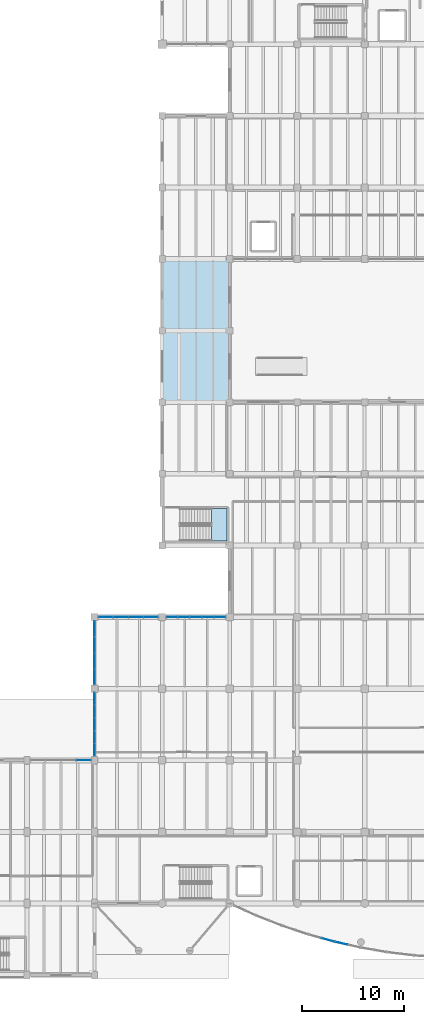
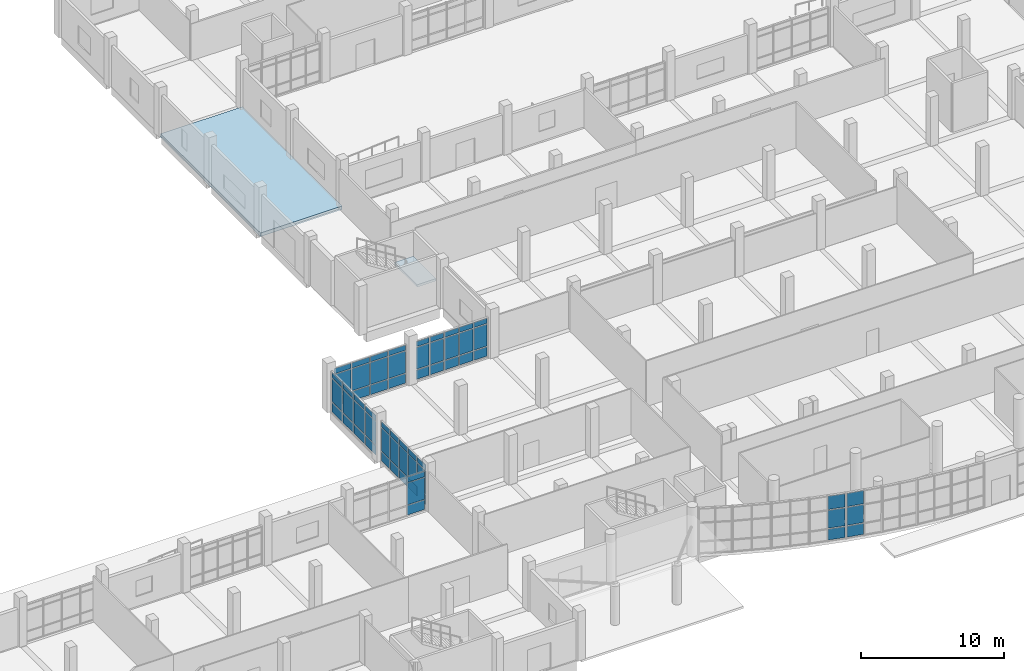
# One storey, part 34 of 69: 63 plates, 2 slabs, 8 elements without a shape of their own.
"""IFC4 building model written with IfcOpenShell, lengths in metres."""

from ifc_helpers import new_model, si_unit, direction, frame, origin, origin_2d, place, context, subcontext, project, spatial, polyline, rectangle, outline, extrude, material, layer, layer_set, type_object, element, aggregate, save


model = new_model("IFC4")

# Units and contexts
model_context = context("Model", 3, precision=1e-05, world=origin(), true_north=direction((0.0, 1.0)))
body_context = subcontext(model_context, "Body", "Model", "MODEL_VIEW")
ifc_project = project(units=[si_unit("LENGTHUNIT", "METRE"), si_unit("AREAUNIT", "SQUARE_METRE"), si_unit("VOLUMEUNIT", "CUBIC_METRE"), si_unit("PLANEANGLEUNIT", "RADIAN"), si_unit("MASSUNIT", "GRAM", prefix="KILO")], contexts=[model_context])

# Site, building, storey
site_placement = place(None, origin())
site = spatial("IfcSite", under=ifc_project, at=site_placement, CompositionType="ELEMENT")
building_placement = place(site_placement, origin())
building = spatial("IfcBuilding", under=site, at=building_placement, Name="Ciguamira Faculty of Natural Sciences", CompositionType="ELEMENT")
storey_placement = place(building_placement, origin())
storey = spatial("IfcBuildingStorey", under=building, at=storey_placement, Name="L00", CompositionType="ELEMENT", Elevation=0.0)

# Curtain wall, plates
ifc_material_1 = material(Name="Anodized aluminium curtain wall", Category="aluminium")
curtain_wall_type_1 = type_object("IfcCurtainWallType", Name="CurtainWall_CW-05", PredefinedType="USERDEFINED", material=ifc_material_1)
curtain_wall_1_placement = place(storey_placement, origin())
curtain_wall_1 = element("IfcCurtainWall", 1, at=curtain_wall_1_placement, inside=storey, type_object=curtain_wall_type_1, Name="L00 unitised curtain wall 0005", ObjectType="UNITISED CURTAIN WALL", PredefinedType="USERDEFINED")
ifc_material_2 = material(Name="Low-E laminated solar glass", Category="glass")
ifc_layer_1 = layer(ifc_material_2, 0.028076171875, Name="Low-E laminated solar glass")
ifc_layer_set_1 = layer_set([ifc_layer_1], Name="Low-E laminated solar glass")
plate_type_1 = type_object("IfcPlateType", Name="CWPanel_CWP-01", PredefinedType="CURTAIN_PANEL", material=ifc_layer_set_1)
plate_1_placement = place(storey_placement, frame((51.804931640625, 38.0, 0.070068359375), z_axis=(0.0, 0.0, 1.0), x_axis=(1.0, 0.0, 0.0)))
plate_1 = element("IfcPlate", 2, at=plate_1_placement, type_object=plate_type_1, Name="CW-05 panel 1.1", PredefinedType="CURTAIN_PANEL", context=body_context, shape_type="SweptSolid", body=[
    extrude(rectangle(XDim=1.3701171875, YDim=0.028076171875, at=origin_2d()), origin(), (0.0, 0.0, 1.0), 0.794921875),
])
plate_2_placement = place(storey_placement, frame((51.804931640625, 38.0, 0.93505859375), z_axis=(0.0, 0.0, 1.0), x_axis=(1.0, 0.0, 0.0)))
plate_2 = element("IfcPlate", 3, at=plate_2_placement, type_object=plate_type_1, Name="CW-05 panel 1.2", PredefinedType="CURTAIN_PANEL", context=body_context, shape_type="SweptSolid", body=[
    extrude(rectangle(XDim=1.3701171875, YDim=0.028076171875, at=origin_2d()), origin(), (0.0, 0.0, 1.0), 1.864990234375),
])
plate_3_placement = place(storey_placement, frame((51.804931640625, 38.0, 2.8701171875), z_axis=(0.0, 0.0, 1.0), x_axis=(1.0, 0.0, 0.0)))
plate_3 = element("IfcPlate", 4, at=plate_3_placement, type_object=plate_type_1, Name="CW-05 panel 1.3", PredefinedType="CURTAIN_PANEL", context=body_context, shape_type="SweptSolid", body=[
    extrude(rectangle(XDim=1.3701171875, YDim=0.028076171875, at=origin_2d()), origin(), (0.0, 0.0, 1.0), 0.445068359375),
])
plate_4_placement = place(storey_placement, frame((53.262451171875, 38.0, 0.070068359375), z_axis=(0.0, 0.0, 1.0), x_axis=(1.0, 0.0, 0.0)))
plate_4 = element("IfcPlate", 5, at=plate_4_placement, type_object=plate_type_1, Name="CW-05 panel 2.1", PredefinedType="CURTAIN_PANEL", context=body_context, shape_type="SweptSolid", body=[
    extrude(rectangle(XDim=1.405029296875, YDim=0.028076171875, at=origin_2d()), origin(), (0.0, 0.0, 1.0), 0.794921875),
])
plate_5_placement = place(storey_placement, frame((53.262451171875, 38.0, 0.93505859375), z_axis=(0.0, 0.0, 1.0), x_axis=(1.0, 0.0, 0.0)))
plate_5 = element("IfcPlate", 6, at=plate_5_placement, type_object=plate_type_1, Name="CW-05 panel 2.2", PredefinedType="CURTAIN_PANEL", context=body_context, shape_type="SweptSolid", body=[
    extrude(rectangle(XDim=1.405029296875, YDim=0.028076171875, at=origin_2d()), origin(), (0.0, 0.0, 1.0), 1.864990234375),
])
plate_6_placement = place(storey_placement, frame((53.262451171875, 38.0, 2.8701171875), z_axis=(0.0, 0.0, 1.0), x_axis=(1.0, 0.0, 0.0)))
plate_6 = element("IfcPlate", 7, at=plate_6_placement, type_object=plate_type_1, Name="CW-05 panel 2.3", PredefinedType="CURTAIN_PANEL", context=body_context, shape_type="SweptSolid", body=[
    extrude(rectangle(XDim=1.405029296875, YDim=0.028076171875, at=origin_2d()), origin(), (0.0, 0.0, 1.0), 0.445068359375),
])
plate_7_placement = place(storey_placement, frame((54.737548828125, 38.0, 0.070068359375), z_axis=(0.0, 0.0, 1.0), x_axis=(1.0, 0.0, 0.0)))
plate_7 = element("IfcPlate", 8, at=plate_7_placement, type_object=plate_type_1, Name="CW-05 panel 3.1", PredefinedType="CURTAIN_PANEL", context=body_context, shape_type="SweptSolid", body=[
    extrude(rectangle(XDim=1.405029296875, YDim=0.028076171875, at=origin_2d()), origin(), (0.0, 0.0, 1.0), 0.794921875),
])
plate_8_placement = place(storey_placement, frame((54.737548828125, 38.0, 0.93505859375), z_axis=(0.0, 0.0, 1.0), x_axis=(1.0, 0.0, 0.0)))
plate_8 = element("IfcPlate", 9, at=plate_8_placement, type_object=plate_type_1, Name="CW-05 panel 3.2", PredefinedType="CURTAIN_PANEL", context=body_context, shape_type="SweptSolid", body=[
    extrude(rectangle(XDim=1.405029296875, YDim=0.028076171875, at=origin_2d()), origin(), (0.0, 0.0, 1.0), 1.864990234375),
])
plate_9_placement = place(storey_placement, frame((54.737548828125, 38.0, 2.8701171875), z_axis=(0.0, 0.0, 1.0), x_axis=(1.0, 0.0, 0.0)))
plate_9 = element("IfcPlate", 10, at=plate_9_placement, type_object=plate_type_1, Name="CW-05 panel 3.3", PredefinedType="CURTAIN_PANEL", context=body_context, shape_type="SweptSolid", body=[
    extrude(rectangle(XDim=1.405029296875, YDim=0.028076171875, at=origin_2d()), origin(), (0.0, 0.0, 1.0), 0.445068359375),
])
plate_10_placement = place(storey_placement, frame((56.195068359375, 38.0, 0.070068359375), z_axis=(0.0, 0.0, 1.0), x_axis=(1.0, 0.0, 0.0)))
plate_10 = element("IfcPlate", 11, at=plate_10_placement, type_object=plate_type_1, Name="CW-05 panel 4.1", PredefinedType="CURTAIN_PANEL", context=body_context, shape_type="SweptSolid", body=[
    extrude(rectangle(XDim=1.3701171875, YDim=0.028076171875, at=origin_2d()), origin(), (0.0, 0.0, 1.0), 0.794921875),
])
plate_11_placement = place(storey_placement, frame((56.195068359375, 38.0, 0.93505859375), z_axis=(0.0, 0.0, 1.0), x_axis=(1.0, 0.0, 0.0)))
plate_11 = element("IfcPlate", 12, at=plate_11_placement, type_object=plate_type_1, Name="CW-05 panel 4.2", PredefinedType="CURTAIN_PANEL", context=body_context, shape_type="SweptSolid", body=[
    extrude(rectangle(XDim=1.3701171875, YDim=0.028076171875, at=origin_2d()), origin(), (0.0, 0.0, 1.0), 1.864990234375),
])
plate_12_placement = place(storey_placement, frame((56.195068359375, 38.0, 2.8701171875), z_axis=(0.0, 0.0, 1.0), x_axis=(1.0, 0.0, 0.0)))
plate_12 = element("IfcPlate", 13, at=plate_12_placement, type_object=plate_type_1, Name="CW-05 panel 4.3", PredefinedType="CURTAIN_PANEL", context=body_context, shape_type="SweptSolid", body=[
    extrude(rectangle(XDim=1.3701171875, YDim=0.028076171875, at=origin_2d()), origin(), (0.0, 0.0, 1.0), 0.445068359375),
])
aggregate(curtain_wall_1, [plate_1, plate_2, plate_3, plate_4, plate_5, plate_6, plate_7, plate_8, plate_9, plate_10, plate_11, plate_12])

curtain_wall_type_2 = type_object("IfcCurtainWallType", Name="CurtainWall_CW-11", PredefinedType="USERDEFINED", material=ifc_material_1)
curtain_wall_2_placement = place(storey_placement, origin())
curtain_wall_2 = element("IfcCurtainWall", 14, at=curtain_wall_2_placement, inside=storey, type_object=curtain_wall_type_2, Name="L00 unitised curtain wall 0023", ObjectType="UNITISED CURTAIN WALL", PredefinedType="USERDEFINED")
plate_13_placement = place(storey_placement, frame((50.699951171875, 32.155029296875, 0.070068359375), z_axis=(0.0, 0.0, 1.0), x_axis=(0.0, 1.0, 0.0)))
plate_13 = element("IfcPlate", 15, at=plate_13_placement, type_object=plate_type_1, Name="CW-11 panel 1.1", PredefinedType="CURTAIN_PANEL", context=body_context, shape_type="SweptSolid", body=[
    extrude(rectangle(XDim=1.469970703125, YDim=0.028076171875, at=origin_2d()), origin(), (0.0, 0.0, 1.0), 0.794921875),
])
plate_14_placement = place(storey_placement, frame((50.699951171875, 32.155029296875, 0.93505859375), z_axis=(0.0, 0.0, 1.0), x_axis=(0.0, 1.0, 0.0)))
plate_14 = element("IfcPlate", 16, at=plate_14_placement, type_object=plate_type_1, Name="CW-11 panel 1.2", PredefinedType="CURTAIN_PANEL", context=body_context, shape_type="SweptSolid", body=[
    extrude(rectangle(XDim=1.469970703125, YDim=0.028076171875, at=origin_2d()), origin(), (0.0, 0.0, 1.0), 1.985107421875),
])
plate_15_placement = place(storey_placement, frame((50.699951171875, 32.155029296875, 2.98974609375), z_axis=(0.0, 0.0, 1.0), x_axis=(0.0, 1.0, 0.0)))
plate_15 = element("IfcPlate", 17, at=plate_15_placement, type_object=plate_type_1, Name="CW-11 panel 1.3", PredefinedType="CURTAIN_PANEL", context=body_context, shape_type="SweptSolid", body=[
    extrude(rectangle(XDim=1.469970703125, YDim=0.028076171875, at=origin_2d()), origin(), (0.0, 0.0, 1.0), 0.445068359375),
])
plate_16_placement = place(storey_placement, frame((50.699951171875, 33.71240234375, 0.070068359375), z_axis=(0.0, 0.0, 1.0), x_axis=(0.0, 1.0, 0.0)))
plate_16 = element("IfcPlate", 18, at=plate_16_placement, type_object=plate_type_1, Name="CW-11 panel 2.1", PredefinedType="CURTAIN_PANEL", context=body_context, shape_type="SweptSolid", body=[
    extrude(rectangle(XDim=1.5048828125, YDim=0.028076171875, at=origin_2d()), origin(), (0.0, 0.0, 1.0), 0.794921875),
])
plate_17_placement = place(storey_placement, frame((50.699951171875, 33.71240234375, 0.93505859375), z_axis=(0.0, 0.0, 1.0), x_axis=(0.0, 1.0, 0.0)))
plate_17 = element("IfcPlate", 19, at=plate_17_placement, type_object=plate_type_1, Name="CW-11 panel 2.2", PredefinedType="CURTAIN_PANEL", context=body_context, shape_type="SweptSolid", body=[
    extrude(rectangle(XDim=1.5048828125, YDim=0.028076171875, at=origin_2d()), origin(), (0.0, 0.0, 1.0), 1.985107421875),
])
plate_18_placement = place(storey_placement, frame((50.699951171875, 33.71240234375, 2.98974609375), z_axis=(0.0, 0.0, 1.0), x_axis=(0.0, 1.0, 0.0)))
plate_18 = element("IfcPlate", 20, at=plate_18_placement, type_object=plate_type_1, Name="CW-11 panel 2.3", PredefinedType="CURTAIN_PANEL", context=body_context, shape_type="SweptSolid", body=[
    extrude(rectangle(XDim=1.5048828125, YDim=0.028076171875, at=origin_2d()), origin(), (0.0, 0.0, 1.0), 0.445068359375),
])
plate_19_placement = place(storey_placement, frame((50.699951171875, 35.28759765625, 0.070068359375), z_axis=(0.0, 0.0, 1.0), x_axis=(0.0, 1.0, 0.0)))
plate_19 = element("IfcPlate", 21, at=plate_19_placement, type_object=plate_type_1, Name="CW-11 panel 3.1", PredefinedType="CURTAIN_PANEL", context=body_context, shape_type="SweptSolid", body=[
    extrude(rectangle(XDim=1.5048828125, YDim=0.028076171875, at=origin_2d()), origin(), (0.0, 0.0, 1.0), 0.794921875),
])
plate_20_placement = place(storey_placement, frame((50.699951171875, 35.28759765625, 0.93505859375), z_axis=(0.0, 0.0, 1.0), x_axis=(0.0, 1.0, 0.0)))
plate_20 = element("IfcPlate", 22, at=plate_20_placement, type_object=plate_type_1, Name="CW-11 panel 3.2", PredefinedType="CURTAIN_PANEL", context=body_context, shape_type="SweptSolid", body=[
    extrude(rectangle(XDim=1.5048828125, YDim=0.028076171875, at=origin_2d()), origin(), (0.0, 0.0, 1.0), 1.985107421875),
])
plate_21_placement = place(storey_placement, frame((50.699951171875, 35.28759765625, 2.98974609375), z_axis=(0.0, 0.0, 1.0), x_axis=(0.0, 1.0, 0.0)))
plate_21 = element("IfcPlate", 23, at=plate_21_placement, type_object=plate_type_1, Name="CW-11 panel 3.3", PredefinedType="CURTAIN_PANEL", context=body_context, shape_type="SweptSolid", body=[
    extrude(rectangle(XDim=1.5048828125, YDim=0.028076171875, at=origin_2d()), origin(), (0.0, 0.0, 1.0), 0.445068359375),
])
plate_22_placement = place(storey_placement, frame((50.699951171875, 36.844970703125, 0.070068359375), z_axis=(0.0, 0.0, 1.0), x_axis=(0.0, 1.0, 0.0)))
plate_22 = element("IfcPlate", 24, at=plate_22_placement, type_object=plate_type_1, Name="CW-11 panel 4.1", PredefinedType="CURTAIN_PANEL", context=body_context, shape_type="SweptSolid", body=[
    extrude(rectangle(XDim=1.469970703125, YDim=0.028076171875, at=origin_2d()), origin(), (0.0, 0.0, 1.0), 0.794921875),
])
plate_23_placement = place(storey_placement, frame((50.699951171875, 36.844970703125, 0.93505859375), z_axis=(0.0, 0.0, 1.0), x_axis=(0.0, 1.0, 0.0)))
plate_23 = element("IfcPlate", 25, at=plate_23_placement, type_object=plate_type_1, Name="CW-11 panel 4.2", PredefinedType="CURTAIN_PANEL", context=body_context, shape_type="SweptSolid", body=[
    extrude(rectangle(XDim=1.469970703125, YDim=0.028076171875, at=origin_2d()), origin(), (0.0, 0.0, 1.0), 1.985107421875),
])
plate_24_placement = place(storey_placement, frame((50.699951171875, 36.844970703125, 2.98974609375), z_axis=(0.0, 0.0, 1.0), x_axis=(0.0, 1.0, 0.0)))
plate_24 = element("IfcPlate", 26, at=plate_24_placement, type_object=plate_type_1, Name="CW-11 panel 4.3", PredefinedType="CURTAIN_PANEL", context=body_context, shape_type="SweptSolid", body=[
    extrude(rectangle(XDim=1.469970703125, YDim=0.028076171875, at=origin_2d()), origin(), (0.0, 0.0, 1.0), 0.445068359375),
])
aggregate(curtain_wall_2, [plate_13, plate_14, plate_15, plate_16, plate_17, plate_18, plate_19, plate_20, plate_21, plate_22, plate_23, plate_24])

curtain_wall_type_3 = type_object("IfcCurtainWallType", Name="CurtainWall_CW-10", PredefinedType="USERDEFINED", material=ifc_material_1)
curtain_wall_3_placement = place(storey_placement, origin())
curtain_wall_3 = element("IfcCurtainWall", 27, at=curtain_wall_3_placement, inside=storey, type_object=curtain_wall_type_3, Name="L00 south gallery curved curtain wall 04", ObjectType="UNITISED CURTAIN WALL", PredefinedType="USERDEFINED")
plate_25_placement = place(storey_placement, frame((73.505859375, 6.445556640625, 0.080078125), z_axis=(0.0, 0.0, 1.0), x_axis=(0.963573286652, -0.267444426472, 0.0)))
plate_25 = element("IfcPlate", 28, at=plate_25_placement, type_object=plate_type_1, Name="CW-10 panel 2.1", PredefinedType="CURTAIN_PANEL", context=body_context, shape_type="SweptSolid", body=[
    extrude(rectangle(XDim=1.2119140625, YDim=0.028076171875, at=origin_2d()), origin(), (0.0, 0.0, 1.0), 0.929931640625),
])
plate_26_placement = place(storey_placement, frame((73.505859375, 6.445556640625, 1.090087890625), z_axis=(0.0, 0.0, 1.0), x_axis=(0.963573286652, -0.267444426472, 0.0)))
plate_26 = element("IfcPlate", 29, at=plate_26_placement, type_object=plate_type_1, Name="CW-10 panel 2.2", PredefinedType="CURTAIN_PANEL", context=body_context, shape_type="SweptSolid", body=[
    extrude(rectangle(XDim=1.2119140625, YDim=0.028076171875, at=origin_2d()), origin(), (0.0, 0.0, 1.0), 1.52001953125),
])
plate_27_placement = place(storey_placement, frame((73.505859375, 6.445556640625, 2.68994140625), z_axis=(0.0, 0.0, 1.0), x_axis=(0.963573286652, -0.267444426472, 0.0)))
plate_27 = element("IfcPlate", 30, at=plate_27_placement, type_object=plate_type_1, Name="CW-10 panel 2.3", PredefinedType="CURTAIN_PANEL", context=body_context, shape_type="SweptSolid", body=[
    extrude(rectangle(XDim=1.2119140625, YDim=0.028076171875, at=origin_2d()), origin(), (0.0, 0.0, 1.0), 1.1298828125),
])
aggregate(curtain_wall_3, [plate_25, plate_26, plate_27])

curtain_wall_4_placement = place(storey_placement, origin())
curtain_wall_4 = element("IfcCurtainWall", 31, at=curtain_wall_4_placement, inside=storey, type_object=curtain_wall_type_2, Name="L00 south gallery curved curtain wall 05", ObjectType="UNITISED CURTAIN WALL", PredefinedType="USERDEFINED")
plate_28_placement = place(storey_placement, frame((74.827880859375, 6.11376953125, 0.080078125), z_axis=(0.0, 0.0, 1.0), x_axis=(0.975762990759, -0.218830038763, 0.0)))
plate_28 = element("IfcPlate", 32, at=plate_28_placement, type_object=plate_type_1, Name="CW-11 panel 1.1", PredefinedType="CURTAIN_PANEL", context=body_context, shape_type="SweptSolid", body=[
    extrude(rectangle(XDim=1.195068359375, YDim=0.028076171875, at=origin_2d()), origin(), (0.0, 0.0, 1.0), 0.929931640625),
])
plate_29_placement = place(storey_placement, frame((74.827880859375, 6.11376953125, 1.090087890625), z_axis=(0.0, 0.0, 1.0), x_axis=(0.975762990759, -0.218830038763, 0.0)))
plate_29 = element("IfcPlate", 33, at=plate_29_placement, type_object=plate_type_1, Name="CW-11 panel 1.2", PredefinedType="CURTAIN_PANEL", context=body_context, shape_type="SweptSolid", body=[
    extrude(rectangle(XDim=1.195068359375, YDim=0.028076171875, at=origin_2d()), origin(), (0.0, 0.0, 1.0), 1.52001953125),
])
plate_30_placement = place(storey_placement, frame((74.827880859375, 6.11376953125, 2.68994140625), z_axis=(0.0, 0.0, 1.0), x_axis=(0.975762990759, -0.218830038763, 0.0)))
plate_30 = element("IfcPlate", 34, at=plate_30_placement, type_object=plate_type_1, Name="CW-11 panel 1.3", PredefinedType="CURTAIN_PANEL", context=body_context, shape_type="SweptSolid", body=[
    extrude(rectangle(XDim=1.195068359375, YDim=0.028076171875, at=origin_2d()), origin(), (0.0, 0.0, 1.0), 1.1298828125),
])
aggregate(curtain_wall_4, [plate_28, plate_29, plate_30])

curtain_wall_type_4 = type_object("IfcCurtainWallType", Name="CurtainWall_CW-04", PredefinedType="USERDEFINED", material=ifc_material_1)
curtain_wall_5_placement = place(storey_placement, origin())
curtain_wall_5 = element("IfcCurtainWall", 35, at=curtain_wall_5_placement, inside=storey, type_object=curtain_wall_type_4, Name="L00 unitised curtain wall 0004", ObjectType="UNITISED CURTAIN WALL", PredefinedType="USERDEFINED")
ifc_layer_2 = layer(ifc_material_2, 0.035888671875, Name="Low-E laminated solar glass")
ifc_layer_set_2 = layer_set([ifc_layer_2], Name="Low-E laminated solar glass")
plate_type_2 = type_object("IfcPlateType", Name="CWPanel_CWP-02", PredefinedType="CURTAIN_PANEL", material=ifc_layer_set_2)
plate_31_placement = place(storey_placement, frame((49.635009765625, 24.0, 0.06005859375), z_axis=(0.0, 0.0, 1.0), x_axis=(1.0, 0.0, 0.0)))
plate_31 = element("IfcPlate", 36, at=plate_31_placement, type_object=plate_type_2, Name="CW-04 panel 4.1", PredefinedType="CURTAIN_PANEL", context=body_context, shape_type="SweptSolid", body=[
    extrude(rectangle(XDim=1.409912109375, YDim=0.035888671875, at=origin_2d()), origin(), (0.0, 0.0, 1.0), 0.81005859375),
])
plate_32_placement = place(storey_placement, frame((49.635009765625, 24.0, 0.929931640625), z_axis=(0.0, 0.0, 1.0), x_axis=(1.0, 0.0, 0.0)))
plate_32 = element("IfcPlate", 37, at=plate_32_placement, type_object=plate_type_2, Name="CW-04 panel 4.2", PredefinedType="CURTAIN_PANEL", context=body_context, shape_type="SweptSolid", body=[
    extrude(rectangle(XDim=1.409912109375, YDim=0.035888671875, at=origin_2d()), origin(), (0.0, 0.0, 1.0), 1.85498046875),
])
plate_33_placement = place(storey_placement, frame((49.635009765625, 24.0, 2.844970703125), z_axis=(0.0, 0.0, 1.0), x_axis=(1.0, 0.0, 0.0)))
plate_33 = element("IfcPlate", 38, at=plate_33_placement, type_object=plate_type_2, Name="CW-04 panel 4.3", PredefinedType="CURTAIN_PANEL", context=body_context, shape_type="SweptSolid", body=[
    extrude(rectangle(XDim=1.409912109375, YDim=0.035888671875, at=origin_2d()), origin(), (0.0, 0.0, 1.0), 0.4599609375),
])
aggregate(curtain_wall_5, [plate_31, plate_32, plate_33])

curtain_wall_type_5 = type_object("IfcCurtainWallType", Name="CurtainWall_CW-06", PredefinedType="USERDEFINED", material=ifc_material_1)
curtain_wall_6_placement = place(storey_placement, origin())
curtain_wall_6 = element("IfcCurtainWall", 39, at=curtain_wall_6_placement, inside=storey, type_object=curtain_wall_type_5, Name="L00 unitised curtain wall 0006", ObjectType="UNITISED CURTAIN WALL", PredefinedType="USERDEFINED")
plate_34_placement = place(storey_placement, frame((58.260009765625, 38.0, 0.080078125), z_axis=(0.0, 0.0, 1.0), x_axis=(1.0, 0.0, 0.0)))
plate_34 = element("IfcPlate", 40, at=plate_34_placement, type_object=plate_type_2, Name="CW-06 panel 1.1", PredefinedType="CURTAIN_PANEL", context=body_context, shape_type="SweptSolid", body=[
    extrude(rectangle(XDim=1.06005859375, YDim=0.035888671875, at=origin_2d()), origin(), (0.0, 0.0, 1.0), 0.780029296875),
])
plate_35_placement = place(storey_placement, frame((58.260009765625, 38.0, 0.93994140625), z_axis=(0.0, 0.0, 1.0), x_axis=(1.0, 0.0, 0.0)))
plate_35 = element("IfcPlate", 41, at=plate_35_placement, type_object=plate_type_2, Name="CW-06 panel 1.2", PredefinedType="CURTAIN_PANEL", context=body_context, shape_type="SweptSolid", body=[
    extrude(rectangle(XDim=1.06005859375, YDim=0.035888671875, at=origin_2d()), origin(), (0.0, 0.0, 1.0), 1.85498046875),
])
plate_36_placement = place(storey_placement, frame((58.260009765625, 38.0, 2.875), z_axis=(0.0, 0.0, 1.0), x_axis=(1.0, 0.0, 0.0)))
plate_36 = element("IfcPlate", 42, at=plate_36_placement, type_object=plate_type_2, Name="CW-06 panel 1.3", PredefinedType="CURTAIN_PANEL", context=body_context, shape_type="SweptSolid", body=[
    extrude(rectangle(XDim=1.06005859375, YDim=0.035888671875, at=origin_2d()), origin(), (0.0, 0.0, 1.0), 0.429931640625),
])
plate_37_placement = place(storey_placement, frame((59.419921875, 38.0, 0.080078125), z_axis=(0.0, 0.0, 1.0), x_axis=(1.0, 0.0, 0.0)))
plate_37 = element("IfcPlate", 43, at=plate_37_placement, type_object=plate_type_2, Name="CW-06 panel 2.1", PredefinedType="CURTAIN_PANEL", context=body_context, shape_type="SweptSolid", body=[
    extrude(rectangle(XDim=1.10009765625, YDim=0.035888671875, at=origin_2d()), origin(), (0.0, 0.0, 1.0), 0.780029296875),
])
plate_38_placement = place(storey_placement, frame((59.419921875, 38.0, 0.93994140625), z_axis=(0.0, 0.0, 1.0), x_axis=(1.0, 0.0, 0.0)))
plate_38 = element("IfcPlate", 44, at=plate_38_placement, type_object=plate_type_2, Name="CW-06 panel 2.2", PredefinedType="CURTAIN_PANEL", context=body_context, shape_type="SweptSolid", body=[
    extrude(rectangle(XDim=1.10009765625, YDim=0.035888671875, at=origin_2d()), origin(), (0.0, 0.0, 1.0), 1.85498046875),
])
plate_39_placement = place(storey_placement, frame((59.419921875, 38.0, 2.875), z_axis=(0.0, 0.0, 1.0), x_axis=(1.0, 0.0, 0.0)))
plate_39 = element("IfcPlate", 45, at=plate_39_placement, type_object=plate_type_2, Name="CW-06 panel 2.3", PredefinedType="CURTAIN_PANEL", context=body_context, shape_type="SweptSolid", body=[
    extrude(rectangle(XDim=1.10009765625, YDim=0.035888671875, at=origin_2d()), origin(), (0.0, 0.0, 1.0), 0.429931640625),
])
plate_40_placement = place(storey_placement, frame((60.60009765625, 38.0, 0.080078125), z_axis=(0.0, 0.0, 1.0), x_axis=(1.0, 0.0, 0.0)))
plate_40 = element("IfcPlate", 46, at=plate_40_placement, type_object=plate_type_2, Name="CW-06 panel 3.1", PredefinedType="CURTAIN_PANEL", context=body_context, shape_type="SweptSolid", body=[
    extrude(rectangle(XDim=1.10009765625, YDim=0.035888671875, at=origin_2d()), origin(), (0.0, 0.0, 1.0), 0.780029296875),
])
plate_41_placement = place(storey_placement, frame((60.60009765625, 38.0, 0.93994140625), z_axis=(0.0, 0.0, 1.0), x_axis=(1.0, 0.0, 0.0)))
plate_41 = element("IfcPlate", 47, at=plate_41_placement, type_object=plate_type_2, Name="CW-06 panel 3.2", PredefinedType="CURTAIN_PANEL", context=body_context, shape_type="SweptSolid", body=[
    extrude(rectangle(XDim=1.10009765625, YDim=0.035888671875, at=origin_2d()), origin(), (0.0, 0.0, 1.0), 1.85498046875),
])
plate_42_placement = place(storey_placement, frame((60.60009765625, 38.0, 2.875), z_axis=(0.0, 0.0, 1.0), x_axis=(1.0, 0.0, 0.0)))
plate_42 = element("IfcPlate", 48, at=plate_42_placement, type_object=plate_type_2, Name="CW-06 panel 3.3", PredefinedType="CURTAIN_PANEL", context=body_context, shape_type="SweptSolid", body=[
    extrude(rectangle(XDim=1.10009765625, YDim=0.035888671875, at=origin_2d()), origin(), (0.0, 0.0, 1.0), 0.429931640625),
])
plate_43_placement = place(storey_placement, frame((61.780029296875, 38.0, 0.080078125), z_axis=(0.0, 0.0, 1.0), x_axis=(1.0, 0.0, 0.0)))
plate_43 = element("IfcPlate", 49, at=plate_43_placement, type_object=plate_type_2, Name="CW-06 panel 4.1", PredefinedType="CURTAIN_PANEL", context=body_context, shape_type="SweptSolid", body=[
    extrude(rectangle(XDim=1.10009765625, YDim=0.035888671875, at=origin_2d()), origin(), (0.0, 0.0, 1.0), 0.780029296875),
])
plate_44_placement = place(storey_placement, frame((61.780029296875, 38.0, 0.93994140625), z_axis=(0.0, 0.0, 1.0), x_axis=(1.0, 0.0, 0.0)))
plate_44 = element("IfcPlate", 50, at=plate_44_placement, type_object=plate_type_2, Name="CW-06 panel 4.2", PredefinedType="CURTAIN_PANEL", context=body_context, shape_type="SweptSolid", body=[
    extrude(rectangle(XDim=1.10009765625, YDim=0.035888671875, at=origin_2d()), origin(), (0.0, 0.0, 1.0), 1.85498046875),
])
plate_45_placement = place(storey_placement, frame((61.780029296875, 38.0, 2.875), z_axis=(0.0, 0.0, 1.0), x_axis=(1.0, 0.0, 0.0)))
plate_45 = element("IfcPlate", 51, at=plate_45_placement, type_object=plate_type_2, Name="CW-06 panel 4.3", PredefinedType="CURTAIN_PANEL", context=body_context, shape_type="SweptSolid", body=[
    extrude(rectangle(XDim=1.10009765625, YDim=0.035888671875, at=origin_2d()), origin(), (0.0, 0.0, 1.0), 0.429931640625),
])
plate_46_placement = place(storey_placement, frame((62.93994140625, 38.0, 0.080078125), z_axis=(0.0, 0.0, 1.0), x_axis=(1.0, 0.0, 0.0)))
plate_46 = element("IfcPlate", 52, at=plate_46_placement, type_object=plate_type_2, Name="CW-06 panel 5.1", PredefinedType="CURTAIN_PANEL", context=body_context, shape_type="SweptSolid", body=[
    extrude(rectangle(XDim=1.06005859375, YDim=0.035888671875, at=origin_2d()), origin(), (0.0, 0.0, 1.0), 0.780029296875),
])
plate_47_placement = place(storey_placement, frame((62.93994140625, 38.0, 0.93994140625), z_axis=(0.0, 0.0, 1.0), x_axis=(1.0, 0.0, 0.0)))
plate_47 = element("IfcPlate", 53, at=plate_47_placement, type_object=plate_type_2, Name="CW-06 panel 5.2", PredefinedType="CURTAIN_PANEL", context=body_context, shape_type="SweptSolid", body=[
    extrude(rectangle(XDim=1.06005859375, YDim=0.035888671875, at=origin_2d()), origin(), (0.0, 0.0, 1.0), 1.85498046875),
])
plate_48_placement = place(storey_placement, frame((62.93994140625, 38.0, 2.875), z_axis=(0.0, 0.0, 1.0), x_axis=(1.0, 0.0, 0.0)))
plate_48 = element("IfcPlate", 54, at=plate_48_placement, type_object=plate_type_2, Name="CW-06 panel 5.3", PredefinedType="CURTAIN_PANEL", context=body_context, shape_type="SweptSolid", body=[
    extrude(rectangle(XDim=1.06005859375, YDim=0.035888671875, at=origin_2d()), origin(), (0.0, 0.0, 1.0), 0.429931640625),
])
aggregate(curtain_wall_6, [plate_34, plate_35, plate_36, plate_37, plate_38, plate_39, plate_40, plate_41, plate_42, plate_43, plate_44, plate_45, plate_46, plate_47, plate_48])

curtain_wall_7_placement = place(storey_placement, origin())
curtain_wall_7 = element("IfcCurtainWall", 55, at=curtain_wall_7_placement, inside=storey, type_object=curtain_wall_type_3, Name="L00 unitised curtain wall 0022", ObjectType="UNITISED CURTAIN WALL", PredefinedType="USERDEFINED")
plate_49_placement = place(storey_placement, frame((50.699951171875, 25.017578125, 0.06005859375), z_axis=(0.0, 0.0, 1.0), x_axis=(0.0, 1.0, 0.0)))
plate_49 = element("IfcPlate", 56, at=plate_49_placement, type_object=plate_type_2, Name="CW-10 panel 1.1", PredefinedType="CURTAIN_PANEL", context=body_context, shape_type="SweptSolid", body=[
    extrude(rectangle(XDim=1.1650390625, YDim=0.035888671875, at=origin_2d()), origin(), (0.0, 0.0, 1.0), 0.81005859375),
])
plate_50_placement = place(storey_placement, frame((50.699951171875, 25.017578125, 0.929931640625), z_axis=(0.0, 0.0, 1.0), x_axis=(0.0, 1.0, 0.0)))
plate_50 = element("IfcPlate", 57, at=plate_50_placement, type_object=plate_type_2, Name="CW-10 panel 1.2", PredefinedType="CURTAIN_PANEL", context=body_context, shape_type="SweptSolid", body=[
    extrude(rectangle(XDim=1.1650390625, YDim=0.035888671875, at=origin_2d()), origin(), (0.0, 0.0, 1.0), 1.9951171875),
])
plate_51_placement = place(storey_placement, frame((50.699951171875, 25.017578125, 2.985107421875), z_axis=(0.0, 0.0, 1.0), x_axis=(0.0, 1.0, 0.0)))
plate_51 = element("IfcPlate", 58, at=plate_51_placement, type_object=plate_type_2, Name="CW-10 panel 1.3", PredefinedType="CURTAIN_PANEL", context=body_context, shape_type="SweptSolid", body=[
    extrude(rectangle(XDim=1.1650390625, YDim=0.035888671875, at=origin_2d()), origin(), (0.0, 0.0, 1.0), 0.4599609375),
])
plate_52_placement = place(storey_placement, frame((50.699951171875, 26.257568359375, 0.06005859375), z_axis=(0.0, 0.0, 1.0), x_axis=(0.0, 1.0, 0.0)))
plate_52 = element("IfcPlate", 59, at=plate_52_placement, type_object=plate_type_2, Name="CW-10 panel 2.1", PredefinedType="CURTAIN_PANEL", context=body_context, shape_type="SweptSolid", body=[
    extrude(rectangle(XDim=1.195068359375, YDim=0.035888671875, at=origin_2d()), origin(), (0.0, 0.0, 1.0), 0.81005859375),
])
plate_53_placement = place(storey_placement, frame((50.699951171875, 26.257568359375, 0.929931640625), z_axis=(0.0, 0.0, 1.0), x_axis=(0.0, 1.0, 0.0)))
plate_53 = element("IfcPlate", 60, at=plate_53_placement, type_object=plate_type_2, Name="CW-10 panel 2.2", PredefinedType="CURTAIN_PANEL", context=body_context, shape_type="SweptSolid", body=[
    extrude(rectangle(XDim=1.195068359375, YDim=0.035888671875, at=origin_2d()), origin(), (0.0, 0.0, 1.0), 1.9951171875),
])
plate_54_placement = place(storey_placement, frame((50.699951171875, 26.257568359375, 2.985107421875), z_axis=(0.0, 0.0, 1.0), x_axis=(0.0, 1.0, 0.0)))
plate_54 = element("IfcPlate", 61, at=plate_54_placement, type_object=plate_type_2, Name="CW-10 panel 2.3", PredefinedType="CURTAIN_PANEL", context=body_context, shape_type="SweptSolid", body=[
    extrude(rectangle(XDim=1.195068359375, YDim=0.035888671875, at=origin_2d()), origin(), (0.0, 0.0, 1.0), 0.4599609375),
])
plate_55_placement = place(storey_placement, frame((50.699951171875, 27.512451171875, 0.06005859375), z_axis=(0.0, 0.0, 1.0), x_axis=(0.0, 1.0, 0.0)))
plate_55 = element("IfcPlate", 62, at=plate_55_placement, type_object=plate_type_2, Name="CW-10 panel 3.1", PredefinedType="CURTAIN_PANEL", context=body_context, shape_type="SweptSolid", body=[
    extrude(rectangle(XDim=1.195068359375, YDim=0.035888671875, at=origin_2d()), origin(), (0.0, 0.0, 1.0), 0.81005859375),
])
plate_56_placement = place(storey_placement, frame((50.699951171875, 27.512451171875, 0.929931640625), z_axis=(0.0, 0.0, 1.0), x_axis=(0.0, 1.0, 0.0)))
plate_56 = element("IfcPlate", 63, at=plate_56_placement, type_object=plate_type_2, Name="CW-10 panel 3.2", PredefinedType="CURTAIN_PANEL", context=body_context, shape_type="SweptSolid", body=[
    extrude(rectangle(XDim=1.195068359375, YDim=0.035888671875, at=origin_2d()), origin(), (0.0, 0.0, 1.0), 1.9951171875),
])
plate_57_placement = place(storey_placement, frame((50.699951171875, 27.512451171875, 2.985107421875), z_axis=(0.0, 0.0, 1.0), x_axis=(0.0, 1.0, 0.0)))
plate_57 = element("IfcPlate", 64, at=plate_57_placement, type_object=plate_type_2, Name="CW-10 panel 3.3", PredefinedType="CURTAIN_PANEL", context=body_context, shape_type="SweptSolid", body=[
    extrude(rectangle(XDim=1.195068359375, YDim=0.035888671875, at=origin_2d()), origin(), (0.0, 0.0, 1.0), 0.4599609375),
])
plate_58_placement = place(storey_placement, frame((50.699951171875, 28.767578125, 0.06005859375), z_axis=(0.0, 0.0, 1.0), x_axis=(0.0, 1.0, 0.0)))
plate_58 = element("IfcPlate", 65, at=plate_58_placement, type_object=plate_type_2, Name="CW-10 panel 4.1", PredefinedType="CURTAIN_PANEL", context=body_context, shape_type="SweptSolid", body=[
    extrude(rectangle(XDim=1.195068359375, YDim=0.035888671875, at=origin_2d()), origin(), (0.0, 0.0, 1.0), 0.81005859375),
])
plate_59_placement = place(storey_placement, frame((50.699951171875, 28.767578125, 0.929931640625), z_axis=(0.0, 0.0, 1.0), x_axis=(0.0, 1.0, 0.0)))
plate_59 = element("IfcPlate", 66, at=plate_59_placement, type_object=plate_type_2, Name="CW-10 panel 4.2", PredefinedType="CURTAIN_PANEL", context=body_context, shape_type="SweptSolid", body=[
    extrude(rectangle(XDim=1.195068359375, YDim=0.035888671875, at=origin_2d()), origin(), (0.0, 0.0, 1.0), 1.9951171875),
])
plate_60_placement = place(storey_placement, frame((50.699951171875, 28.767578125, 2.985107421875), z_axis=(0.0, 0.0, 1.0), x_axis=(0.0, 1.0, 0.0)))
plate_60 = element("IfcPlate", 67, at=plate_60_placement, type_object=plate_type_2, Name="CW-10 panel 4.3", PredefinedType="CURTAIN_PANEL", context=body_context, shape_type="SweptSolid", body=[
    extrude(rectangle(XDim=1.195068359375, YDim=0.035888671875, at=origin_2d()), origin(), (0.0, 0.0, 1.0), 0.4599609375),
])
plate_61_placement = place(storey_placement, frame((50.699951171875, 30.007568359375, 0.06005859375), z_axis=(0.0, 0.0, 1.0), x_axis=(0.0, 1.0, 0.0)))
plate_61 = element("IfcPlate", 68, at=plate_61_placement, type_object=plate_type_2, Name="CW-10 panel 5.1", PredefinedType="CURTAIN_PANEL", context=body_context, shape_type="SweptSolid", body=[
    extrude(rectangle(XDim=1.1650390625, YDim=0.035888671875, at=origin_2d()), origin(), (0.0, 0.0, 1.0), 0.81005859375),
])
plate_62_placement = place(storey_placement, frame((50.699951171875, 30.007568359375, 0.929931640625), z_axis=(0.0, 0.0, 1.0), x_axis=(0.0, 1.0, 0.0)))
plate_62 = element("IfcPlate", 69, at=plate_62_placement, type_object=plate_type_2, Name="CW-10 panel 5.2", PredefinedType="CURTAIN_PANEL", context=body_context, shape_type="SweptSolid", body=[
    extrude(rectangle(XDim=1.1650390625, YDim=0.035888671875, at=origin_2d()), origin(), (0.0, 0.0, 1.0), 1.9951171875),
])
plate_63_placement = place(storey_placement, frame((50.699951171875, 30.007568359375, 2.985107421875), z_axis=(0.0, 0.0, 1.0), x_axis=(0.0, 1.0, 0.0)))
plate_63 = element("IfcPlate", 70, at=plate_63_placement, type_object=plate_type_2, Name="CW-10 panel 5.3", PredefinedType="CURTAIN_PANEL", context=body_context, shape_type="SweptSolid", body=[
    extrude(rectangle(XDim=1.1650390625, YDim=0.035888671875, at=origin_2d()), origin(), (0.0, 0.0, 1.0), 0.4599609375),
])
aggregate(curtain_wall_7, [plate_49, plate_50, plate_51, plate_52, plate_53, plate_54, plate_55, plate_56, plate_57, plate_58, plate_59, plate_60, plate_61, plate_62, plate_63])

# Slab
ifc_material_3 = material(Name="Concrete C40/50", Category="concrete")
ifc_layer_3 = layer(ifc_material_3, 0.300048828125, Name="Concrete C40/50")
ifc_layer_set_3 = layer_set([ifc_layer_3], Name="Concrete C40/50")
slab_type_1 = type_object("IfcSlabType", Name="Slab_SF-02_300", PredefinedType="FLOOR", material=ifc_layer_set_3)
slab_1_placement = place(storey_placement, frame((0.0, 0.0, -0.300048828125)))
element("IfcSlab", 71, at=slab_1_placement, inside=storey, type_object=slab_type_1, Name="L00 V4W structural slab", PredefinedType="FLOOR", context=body_context, shape_type="SweptSolid", body=[
    extrude(outline(polyline([(57.300048828125, 59.0), (63.89990234375, 59.0), (63.89990234375, 73.0), (57.300048828125, 73.0), (57.300048828125, 59.0)])), origin(), (0.0, 0.0, 1.0), 0.300048828125),
])

# Stair, slab
stair_type = type_object("IfcStairType", Name="Stair_STR-01", PredefinedType="HALF_TURN_STAIR", material=ifc_material_3)
stair_placement = place(storey_placement, origin())
stair = element("IfcStair", 72, at=stair_placement, inside=storey, type_object=stair_type, Name="L00 Wave Labs South-West Exit Stair", PredefinedType="HALF_TURN_STAIR")
ifc_layer_4 = layer(ifc_material_3, 0.199951171875, Name="Concrete C40/50")
ifc_layer_set_4 = layer_set([ifc_layer_4], Name="Concrete C40/50")
slab_type_2 = type_object("IfcSlabType", Name="StairLanding_SLD01", PredefinedType="LANDING", material=ifc_layer_set_4)
slab_2_placement = place(storey_placement, frame((0.0, 0.0, 1.89990234375)))
slab_2 = element("IfcSlab", 73, at=slab_2_placement, type_object=slab_type_2, Name="ST-W1 landing 1", PredefinedType="LANDING", context=body_context, shape_type="SweptSolid", body=[
    extrude(outline(polyline([(62.139892578125, 45.449951171875), (63.64990234375, 45.449951171875), (63.64990234375, 48.610107421875), (62.139892578125, 48.610107421875), (62.139892578125, 45.449951171875)])), origin(), (0.0, 0.0, 1.0), 0.2001953125),
])
aggregate(stair, [slab_2])

save(model, "model.ifc")
